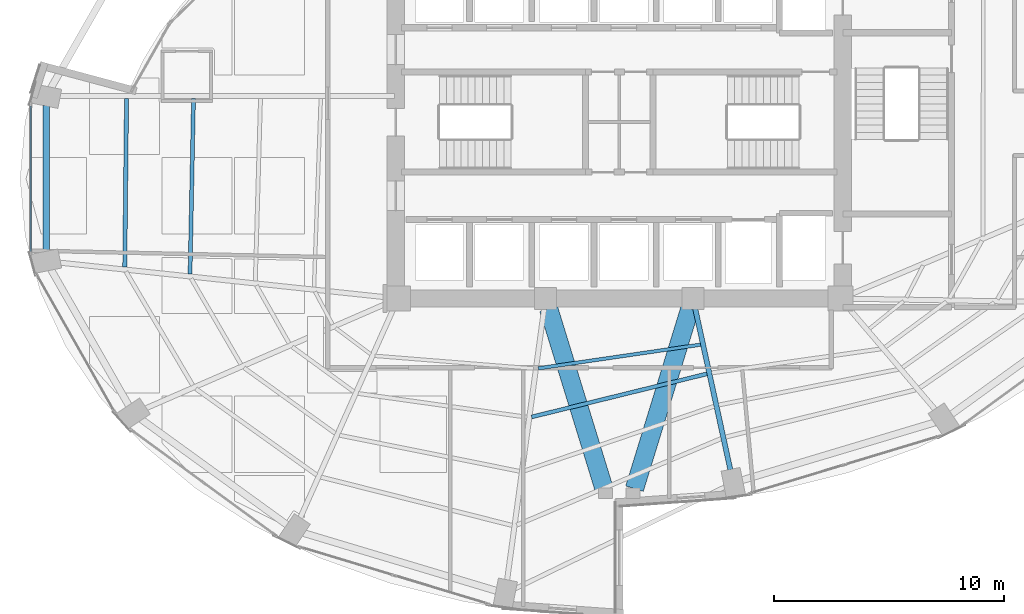
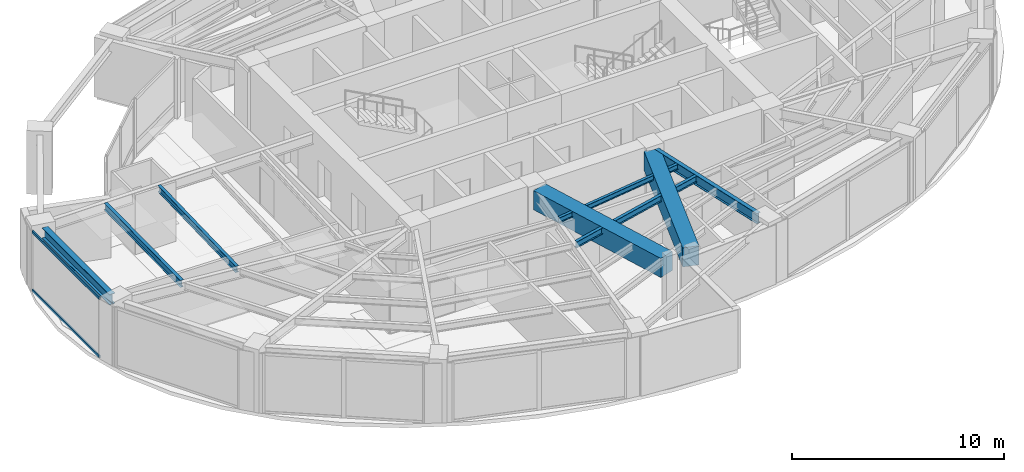
# One storey, part 7 of 24: 8 beams, 2 members, 1 element without a shape of its own.
"""IFC4 building model written with IfcOpenShell, lengths in metres."""

from ifc_helpers import new_model, si_unit, direction, frame, origin, origin_2d, place, context, subcontext, project, spatial, rectangle, hollow_rectangle, i_section, extrude, material, layer, layer_set, material_profile, profile_set, type_object, element, aggregate, save


model = new_model("IFC4")

# Units and contexts
model_context = context("Model", 3, precision=1e-05, world=origin(), true_north=direction((0.0, 1.0)))
body_context = subcontext(model_context, "Body", "Model", "MODEL_VIEW")
ifc_project = project(units=[si_unit("LENGTHUNIT", "METRE"), si_unit("AREAUNIT", "SQUARE_METRE"), si_unit("VOLUMEUNIT", "CUBIC_METRE"), si_unit("PLANEANGLEUNIT", "RADIAN"), si_unit("MASSUNIT", "GRAM", prefix="KILO")], contexts=[model_context])

# Site, building, storey
site_placement = place(None, origin())
site = spatial("IfcSite", under=ifc_project, at=site_placement, CompositionType="ELEMENT")
building_placement = place(site_placement, origin())
building = spatial("IfcBuilding", under=site, at=building_placement, Name="Lazwardi Medical Tower", CompositionType="ELEMENT")
storey_placement = place(building_placement, frame((0.0, 0.0, 114.575927734375)))
storey = spatial("IfcBuildingStorey", under=building, at=storey_placement, Name="L29", CompositionType="ELEMENT", Elevation=114.575927734375)

# Beams
ifc_material_1 = material(Name="Concrete C70/85", Category="concrete")
ifc_material_profile_1 = material_profile(ifc_material_1, rectangle(XDim=0.800048828125, YDim=1.10009765625, at=origin_2d()), Name="RC 800x1100")
ifc_profile_set_1 = profile_set([ifc_material_profile_1], Name="Concrete C70/85")
beam_type_1 = type_object("IfcBeamType", Name="BM-CB-RC1", PredefinedType="LINTEL", material=ifc_profile_set_1)
for number, where, z_axis, x_axis, name in (
    (1, (32.935302734375, 19.960205078125, 2.878173828125), (0.294073251002, -0.955782884888, 0.0), (0.955782884888, 0.294073251002, 0.0), "Core coupling lintel CB-01 PL3 L29"),
    (2, (39.064697265625, 19.960205078125, 2.878173828125), (-0.294073251002, -0.955782884888, 0.0), (0.955782884888, -0.294073251002, 0.0), "Core coupling lintel CB-01 PL4 L29"),
):
    element("IfcBeam", number, at=place(storey_placement, frame(where, z_axis=z_axis, x_axis=x_axis)), inside=storey, type_object=beam_type_1, Name=name, PredefinedType="LINTEL", context=body_context, shape_type="SweptSolid", body=[
        extrude(rectangle(XDim=0.800048828125, YDim=1.10009765625, at=origin_2d()), origin(), (0.0, 0.0, 1.0), 8.1708984375),
    ])
ifc_material_2 = material(Name="Steel S355", Category="steel")
ifc_material_profile_2 = material_profile(ifc_material_2, i_section(OverallWidth=0.300048828125, OverallDepth=0.60009765625, WebThickness=0.015380859375, FlangeThickness=0.030029296875, at=origin_2d()), Name="HEB 600")
ifc_profile_set_2 = profile_set([ifc_material_profile_2], Name="Steel S355")
beam_type_2 = type_object("IfcBeamType", Name="BM-RB-Z2", PredefinedType="BEAM", material=ifc_profile_set_2)
beam_1_placement = place(storey_placement, frame((11.13720703125, 28.77001953125, 3.128173828125), z_axis=(0.0, -1.0, 0.0), x_axis=(1.0, 0.0, 0.0)))
element("IfcBeam", 3, at=beam_1_placement, inside=storey, type_object=beam_type_2, Name="Ring beam RB-03 B12 L29", PredefinedType="BEAM", context=body_context, shape_type="SweptSolid", body=[
    extrude(i_section(OverallWidth=0.300048828125, OverallDepth=0.60009765625, WebThickness=0.015380859375, FlangeThickness=0.030029296875, at=origin_2d()), origin(), (0.0, 0.0, 1.0), 6.33984375),
])
ifc_material_profile_3 = material_profile(ifc_material_2, i_section(OverallWidth=0.219970703125, OverallDepth=0.60009765625, WebThickness=0.011962890625, FlangeThickness=0.01904296875, at=origin_2d()), Name="IPE 600")
ifc_profile_set_3 = profile_set([ifc_material_profile_3], Name="Steel S355")
beam_type_3 = type_object("IfcBeamType", Name="BM-RG-W1", PredefinedType="BEAM", material=ifc_profile_set_3)
beam_2_placement = place(storey_placement, frame((40.82177734375, 12.96923828125, 3.128173828125), z_axis=(-0.213228150441, 0.977002433907, 0.0), x_axis=(-0.977002433907, -0.213228150441, 0.0)))
element("IfcBeam", 4, at=beam_2_placement, inside=storey, type_object=beam_type_3, Name="Radial girder RG-02 R01 L29", PredefinedType="BEAM", context=body_context, shape_type="SweptSolid", body=[
    extrude(i_section(OverallWidth=0.219970703125, OverallDepth=0.60009765625, WebThickness=0.011962890625, FlangeThickness=0.01904296875, at=origin_2d()), origin(), (0.0, 0.0, 1.0), 7.145751953125),
])
ifc_material_profile_4 = material_profile(ifc_material_2, i_section(OverallWidth=0.179931640625, OverallDepth=0.39990234375, WebThickness=0.008544921875, FlangeThickness=0.013427734375, at=origin_2d()), Name="IPE 400")
ifc_profile_set_4 = profile_set([ifc_material_profile_4], Name="Steel S355")
beam_type_4 = type_object("IfcBeamType", Name="BM-SJ-01", PredefinedType="JOIST", material=ifc_profile_set_4)
beam_3_placement = place(storey_placement, frame((14.62255859375, 29.074951171875, 3.22802734375), z_axis=(-0.010484264128, -0.999945038592, 0.0), x_axis=(0.999945038592, -0.010484264128, 0.0)))
element("IfcBeam", 5, at=beam_3_placement, inside=storey, type_object=beam_type_4, Name="Secondary joist SJ-01 R1 B12 L29", PredefinedType="JOIST", context=body_context, shape_type="SweptSolid", body=[
    extrude(i_section(OverallWidth=0.179931640625, OverallDepth=0.39990234375, WebThickness=0.008544921875, FlangeThickness=0.013427734375, at=origin_2d()), origin(), (0.0, 0.0, 1.0), 7.31201171875),
])
ifc_material_profile_5 = material_profile(ifc_material_2, i_section(OverallWidth=0.169921875, OverallDepth=0.360107421875, WebThickness=0.008056640625, FlangeThickness=0.0126953125, at=origin_2d()), Name="IPE 360")
ifc_profile_set_5 = profile_set([ifc_material_profile_5], Name="Steel S355")
beam_type_5 = type_object("IfcBeamType", Name="BM-SJ-02", PredefinedType="JOIST", material=ifc_profile_set_5)
beam_4_placement = place(storey_placement, frame((17.5283203125, 29.074951171875, 3.248046875), z_axis=(-0.019785086948, -0.999804256009, 0.0), x_axis=(0.999804256009, -0.019785086948, 0.0)))
element("IfcBeam", 6, at=beam_4_placement, inside=storey, type_object=beam_type_5, Name="Secondary joist SJ-02 R2 B12 L29", PredefinedType="JOIST", context=body_context, shape_type="SweptSolid", body=[
    extrude(i_section(OverallWidth=0.169921875, OverallDepth=0.360107421875, WebThickness=0.008056640625, FlangeThickness=0.0126953125, at=origin_2d()), origin(), (0.0, 0.0, 1.0), 7.613525390625),
])
beam_5_placement = place(storey_placement, frame((32.19775390625, 15.262451171875, 3.248046875), z_axis=(0.97107737879, 0.238764998276, 0.0), x_axis=(-0.238764998276, 0.97107737879, 0.0)))
element("IfcBeam", 7, at=beam_5_placement, inside=storey, type_object=beam_type_5, Name="Secondary joist SJ-02 R3 B16 L29", PredefinedType="JOIST", context=body_context, shape_type="SweptSolid", body=[
    extrude(i_section(OverallWidth=0.169921875, OverallDepth=0.360107421875, WebThickness=0.008056640625, FlangeThickness=0.0126953125, at=origin_2d()), origin(), (0.0, 0.0, 1.0), 7.83447265625),
])
ifc_material_profile_6 = material_profile(ifc_material_2, i_section(OverallWidth=0.14990234375, OverallDepth=0.300048828125, WebThickness=0.007080078125, FlangeThickness=0.0107421875, at=origin_2d()), Name="IPE 300")
ifc_profile_set_6 = profile_set([ifc_material_profile_6], Name="Steel S355")
beam_type_6 = type_object("IfcBeamType", Name="BM-SJ-03", PredefinedType="JOIST", material=ifc_profile_set_6)
beam_6_placement = place(storey_placement, frame((32.488525390625, 17.37060546875, 3.278076171875), z_axis=(0.98949221477, 0.144586157392, 0.0), x_axis=(-0.144586157392, 0.98949221477, 0.0)))
element("IfcBeam", 8, at=beam_6_placement, inside=storey, type_object=beam_type_6, Name="Secondary joist SJ-03 R4 B16 L29", PredefinedType="JOIST", context=body_context, shape_type="SweptSolid", body=[
    extrude(i_section(OverallWidth=0.14990234375, OverallDepth=0.300048828125, WebThickness=0.007080078125, FlangeThickness=0.0107421875, at=origin_2d()), origin(), (0.0, 0.0, 1.0), 7.115478515625),
])

# Curtain wall, members
ifc_material_3 = material(Name="Anodised bronze aluminium and solar control glazing", Category="aluminium")
ifc_layer = layer(ifc_material_3, 0.195068359375)
ifc_layer_set = layer_set([ifc_layer], Name="Anodised bronze aluminium and solar control glazing")
curtain_wall_type = type_object("IfcCurtainWallType", Name="CW-SYS-03", PredefinedType="NOTDEFINED", material=ifc_layer_set)
curtain_wall_placement = place(storey_placement, origin())
curtain_wall = element("IfcCurtainWall", 9, at=curtain_wall_placement, inside=storey, type_object=curtain_wall_type, Name="L29 Unitised bronze curtain wall CW-03", PredefinedType="NOTDEFINED")
ifc_material_4 = material(Name="Anodised bronze aluminium", Category="aluminium")
ifc_material_profile_7 = material_profile(ifc_material_4, hollow_rectangle(XDim=0.074951171875, YDim=0.159912109375, WallThickness=0.00390625, at=origin_2d()), Name="ALU-TRANSOM 160x75x4")
ifc_profile_set_7 = profile_set([ifc_material_profile_7], Name="Anodised bronze aluminium")
member_type = type_object("IfcMemberType", Name="CW-TRN-01", PredefinedType="USERDEFINED", material=ifc_profile_set_7)
member_1_placement = place(storey_placement, frame((10.471923828125, 28.760009765625, 0.03759765625), z_axis=(0.0, -1.0, 0.0), x_axis=(1.0, 0.0, 0.0)))
member_1 = element("IfcMember", 10, at=member_1_placement, type_object=member_type, Name="CW-03 transom 1.1", ObjectType="TRANSOM", PredefinedType="USERDEFINED", context=body_context, shape_type="SweptSolid", body=[
    extrude(hollow_rectangle(XDim=0.074951171875, YDim=0.159912109375, WallThickness=0.00390625, at=origin_2d()), origin(), (0.0, 0.0, 1.0), 6.31982421875),
])
member_2_placement = place(storey_placement, frame((10.471923828125, 28.760009765625, 3.390625), z_axis=(0.0, -1.0, 0.0), x_axis=(1.0, 0.0, 0.0)))
member_2 = element("IfcMember", 11, at=member_2_placement, type_object=member_type, Name="CW-03 transom 1.2", ObjectType="TRANSOM", PredefinedType="USERDEFINED", context=body_context, shape_type="SweptSolid", body=[
    extrude(hollow_rectangle(XDim=0.074951171875, YDim=0.159912109375, WallThickness=0.00390625, at=origin_2d()), origin(), (0.0, 0.0, 1.0), 6.31982421875),
])
aggregate(curtain_wall, [member_1, member_2])

save(model, "model.ifc")
